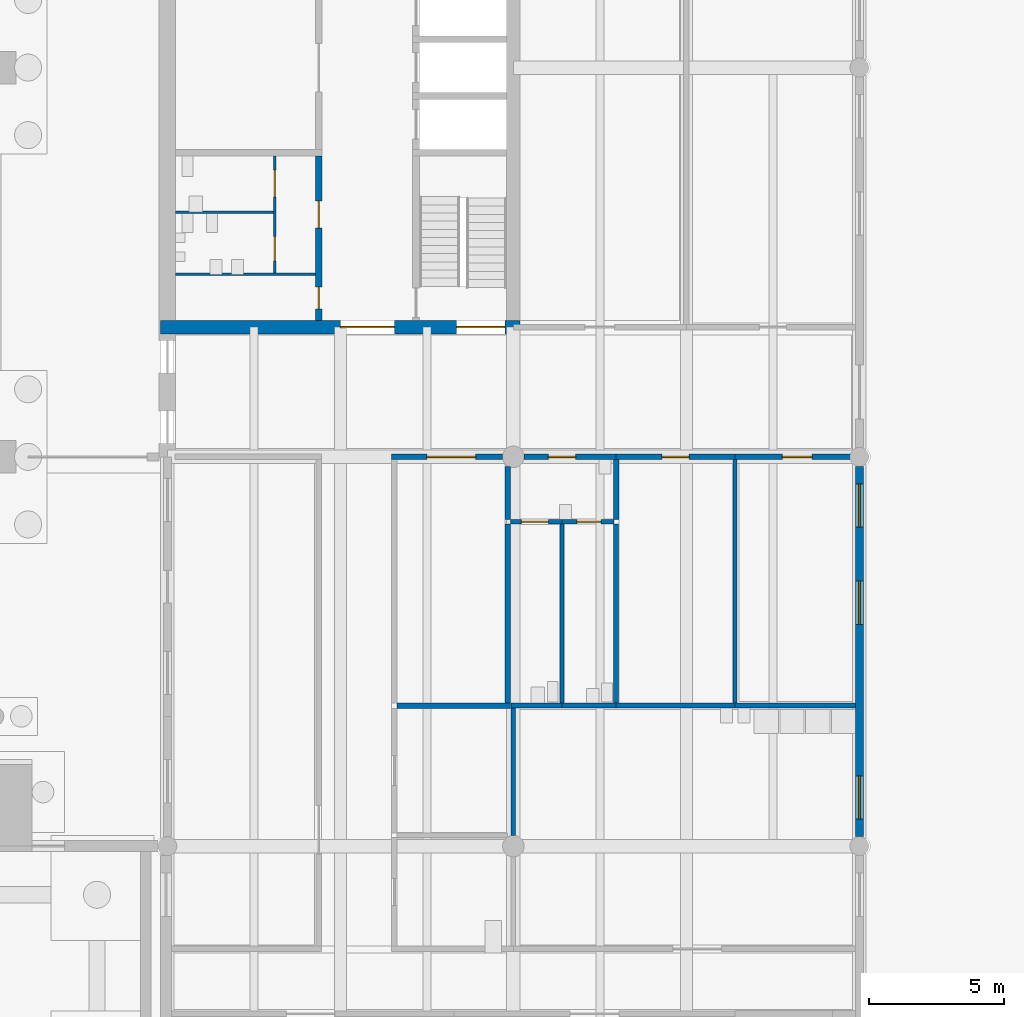
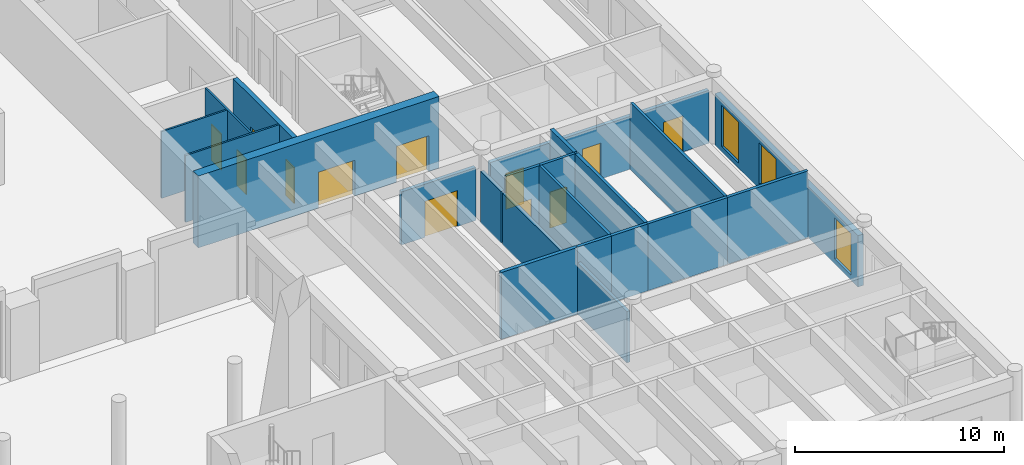
# One storey, part 17 of 28: 24 walls, 12 doors, 3 windows, 15 openings.
"""IFC4 building model written with IfcOpenShell, lengths in metres."""

from ifc_helpers import new_model, si_unit, direction, frame, frame_2d, origin, place, context, subcontext, project, spatial, rectangle, extrude, material, layer, layer_set, type_object, element, fill, save


model = new_model("IFC4")

# Units and contexts
model_context = context("Model", 3, precision=1e-05, world=origin(), true_north=direction((0.0, 1.0)))
body_context = subcontext(model_context, "Body", "Model", "MODEL_VIEW")
ifc_project = project(units=[si_unit("LENGTHUNIT", "METRE"), si_unit("AREAUNIT", "SQUARE_METRE"), si_unit("VOLUMEUNIT", "CUBIC_METRE"), si_unit("PLANEANGLEUNIT", "RADIAN"), si_unit("MASSUNIT", "GRAM", prefix="KILO")], contexts=[model_context])

# Site, building, storey
site_placement = place(None, origin())
site = spatial("IfcSite", under=ifc_project, at=site_placement, CompositionType="ELEMENT")
building_placement = place(site_placement, origin())
building = spatial("IfcBuilding", under=site, at=building_placement, Name="Fogon Plaza Fire Station and Headquarters Tower", CompositionType="ELEMENT")
storey_placement = place(building_placement, origin())
storey = spatial("IfcBuildingStorey", under=building, at=storey_placement, Name="L00", CompositionType="ELEMENT", Elevation=0.0)

# Wall
ifc_material_1 = material(Name="Acoustic Gypsum Partition")
ifc_layer_1 = layer(ifc_material_1, 0.14990234375)
ifc_layer_set_1 = layer_set([ifc_layer_1], Name="Acoustic Gypsum Partition")
wall_type_1 = type_object("IfcWallType", Name="Acoustic Partition 150", PredefinedType="PARTITIONING", material=ifc_layer_set_1)
wall_1_placement = place(storey_placement, frame((85.0, 19.6875, 0.0), z_axis=(0.0, 0.0, 1.0), x_axis=(0.0, 1.0, 0.0)))
element("IfcWall", 1, at=wall_1_placement, inside=storey, type_object=wall_type_1, Name="wall-L00-E-036", PredefinedType="PARTITIONING", context=body_context, shape_type="SweptSolid", body=[
    extrude(rectangle(XDim=9.012451171875, YDim=0.14990234375, at=frame_2d((4.50634765625, 0.0))), origin(), (0.0, 0.0, 1.0), 3.89990234375),
])

# Wall, opening, door
ifc_material_2 = material(Name="Concrete Block Wall", Category="concrete")
ifc_layer_2 = layer(ifc_material_2, 0.14990234375)
ifc_layer_set_2 = layer_set([ifc_layer_2], Name="Concrete Block Wall")
wall_type_2 = type_object("IfcWallType", Name="Block Wall 150", PredefinedType="PARTITIONING", material=ifc_layer_set_2)
wall_2_placement = place(storey_placement, frame((80.5224609375, 26.39990234375, 0.0), z_axis=(0.0, 0.0, 1.0), x_axis=(-1.0, 0.0, 0.0)))
wall_2 = element("IfcWall", 2, at=wall_2_placement, inside=storey, type_object=wall_type_2, Name="wall-L00-E-015", PredefinedType="PARTITIONING", context=body_context, shape_type="SweptSolid", body=[
    extrude(rectangle(XDim=1.92236328125, YDim=0.14990234375, at=frame_2d((0.961181640625, 0.0))), origin(), (0.0, 0.0, 1.0), 3.89990234375),
])
opening_1_placement = place(wall_2_placement, frame((0.472412109375, 0.0, 0.0)))
opening_1 = element("IfcOpeningElement", 3, at=opening_1_placement, cuts=wall_2, Name="Opening L00-D92", PredefinedType="OPENING", context=body_context, shape_type="SweptSolid", body=[
    extrude(rectangle(XDim=0.89990234375, YDim=2.10009765625, at=frame_2d((0.449951171875, 1.050048828125))), frame((0.0, 0.0849609375, 0.0), z_axis=(0.0, -1.0, 0.0), x_axis=(1.0, 0.0, 0.0)), (0.0, 0.0, 1.0), 0.169921875),
])
ifc_material_3 = material(Name="Timber Door Leaf", Category="wood")
door_type_1 = type_object("IfcDoorType", Name="Door WC 900x2100", OperationType="SINGLE_SWING_LEFT", PredefinedType="DOOR", material=ifc_material_3)
door_1_placement = place(opening_1_placement, origin())
door_1 = element("IfcDoor", 4, at=door_1_placement, inside=storey, type_object=door_type_1, Name="door-L00-E-13", OperationType="SINGLE_SWING_RIGHT", OverallHeight=2.10009765625, OverallWidth=0.89990234375, PredefinedType="DOOR", context=body_context, shape_type="SweptSolid", body=[
    extrude(rectangle(XDim=0.89990234375, YDim=2.10009765625, at=frame_2d((0.449951171875, 1.050048828125))), frame((0.0, 0.02490234375, 0.0), z_axis=(0.0, -1.0, 0.0), x_axis=(1.0, 0.0, 0.0)), (0.0, 0.0, 1.0), 0.050048828125),
])
fill(opening_1, door_1)

wall_3_placement = place(storey_placement, frame((78.60009765625, 26.39990234375, 0.0), z_axis=(0.0, 0.0, 1.0), x_axis=(-1.0, 0.0, 0.0)))
wall_3 = element("IfcWall", 5, at=wall_3_placement, inside=storey, type_object=wall_type_2, Name="wall-L00-E-016", PredefinedType="PARTITIONING", context=body_context, shape_type="SweptSolid", body=[
    extrude(rectangle(XDim=1.900146484375, YDim=0.14990234375, at=frame_2d((0.9501953125, 0.0))), origin(), (0.0, 0.0, 1.0), 3.89990234375),
])
opening_2_placement = place(wall_3_placement, frame((0.5, 0.0, 0.0)))
opening_2 = element("IfcOpeningElement", 6, at=opening_2_placement, cuts=wall_3, Name="Opening L00-D93", PredefinedType="OPENING", context=body_context, shape_type="SweptSolid", body=[
    extrude(rectangle(XDim=1.0, YDim=2.10009765625, at=frame_2d((0.5, 1.050048828125))), frame((0.0, 0.0849609375, 0.0), z_axis=(0.0, -1.0, 0.0), x_axis=(1.0, 0.0, 0.0)), (0.0, 0.0, 1.0), 0.169921875),
])
ifc_material_4 = material(Name="Timber Door Leaf", Category="wood")
door_type_2 = type_object("IfcDoorType", Name="Door Sliding 1000x2100", OperationType="SINGLE_SWING_LEFT", PredefinedType="DOOR", material=ifc_material_4)
door_2_placement = place(opening_2_placement, origin())
door_2 = element("IfcDoor", 7, at=door_2_placement, inside=storey, type_object=door_type_2, Name="door-L00-E-14", OperationType="SINGLE_SWING_LEFT", OverallHeight=2.10009765625, OverallWidth=1.0, PredefinedType="DOOR", context=body_context, shape_type="SweptSolid", body=[
    extrude(rectangle(XDim=1.0, YDim=2.10009765625, at=frame_2d((0.5, 1.050048828125))), frame((0.0, 0.02490234375, 0.0), z_axis=(0.0, -1.0, 0.0), x_axis=(1.0, 0.0, 0.0)), (0.0, 0.0, 1.0), 0.050048828125),
])
fill(opening_2, door_2)

# Wall
wall_4_placement = place(storey_placement, frame((78.60009765625, 19.6875, 0.0), z_axis=(0.0, 0.0, 1.0), x_axis=(0.0, 1.0, 0.0)))
element("IfcWall", 8, at=wall_4_placement, inside=storey, type_object=wall_type_2, Name="wall-L00-E-044", PredefinedType="PARTITIONING", context=body_context, shape_type="SweptSolid", body=[
    extrude(rectangle(XDim=6.637451171875, YDim=0.14990234375, at=frame_2d((3.31884765625, 0.0))), origin(), (0.0, 0.0, 1.0), 3.89990234375),
])

# Wall, openings, windows
ifc_material_5 = material(Name="Concrete C40", Category="concrete")
ifc_layer_3 = layer(ifc_material_5, 0.300048828125)
ifc_layer_set_3 = layer_set([ifc_layer_3], Name="Concrete C40")
wall_type_3 = type_object("IfcWallType", Name="Board-marked RC Infill Wall 300", PredefinedType="SOLIDWALL", material=ifc_layer_set_3)
wall_5_placement = place(storey_placement, frame((89.60009765625, 14.75, 0.0), z_axis=(0.0, 0.0, 1.0), x_axis=(0.0, 1.0, 0.0)))
wall_5 = element("IfcWall", 9, at=wall_5_placement, inside=storey, type_object=wall_type_3, Name="Exterior wall EE L00", PredefinedType="SOLIDWALL", context=body_context, shape_type="SweptSolid", body=[
    extrude(rectangle(XDim=13.699951171875, YDim=0.300048828125, at=frame_2d((6.85009765625, 0.0))), origin(), (0.0, 0.0, 1.0), 3.0),
])
opening_3_placement = place(wall_5_placement, frame((0.64990234375, 0.0, 0.300048828125)))
opening_3 = element("IfcOpeningElement", 10, at=opening_3_placement, cuts=wall_5, Name="Opening W2", PredefinedType="OPENING", context=body_context, shape_type="SweptSolid", body=[
    extrude(rectangle(XDim=1.60009765625, YDim=2.39990234375, at=frame_2d((0.800048828125, 1.199951171875))), frame((0.0, 0.159912109375, 0.0), z_axis=(0.0, -1.0, 0.0), x_axis=(1.0, 0.0, 0.0)), (0.0, 0.0, 1.0), 0.320068359375),
])
opening_4_placement = place(wall_5_placement, frame((7.85009765625, 0.0, 0.300048828125)))
opening_4 = element("IfcOpeningElement", 11, at=opening_4_placement, cuts=wall_5, Name="Opening W2", PredefinedType="OPENING", context=body_context, shape_type="SweptSolid", body=[
    extrude(rectangle(XDim=1.60009765625, YDim=2.39990234375, at=frame_2d((0.800048828125, 1.199951171875))), frame((0.0, 0.159912109375, 0.0), z_axis=(0.0, -1.0, 0.0), x_axis=(1.0, 0.0, 0.0)), (0.0, 0.0, 1.0), 0.320068359375),
])
opening_5_placement = place(wall_5_placement, frame((11.449951171875, 0.0, 0.300048828125)))
opening_5 = element("IfcOpeningElement", 12, at=opening_5_placement, cuts=wall_5, Name="Opening W2", PredefinedType="OPENING", context=body_context, shape_type="SweptSolid", body=[
    extrude(rectangle(XDim=1.60009765625, YDim=2.39990234375, at=frame_2d((0.800048828125, 1.199951171875))), frame((0.0, 0.159912109375, 0.0), z_axis=(0.0, -1.0, 0.0), x_axis=(1.0, 0.0, 0.0)), (0.0, 0.0, 1.0), 0.320068359375),
])
ifc_material_6 = material(Name="Aluminium framed double glazing", Category="aluminium")
window_type = type_object("IfcWindowType", Name="Window W2 1600x2400", PartitioningType="SINGLE_PANEL", PredefinedType="WINDOW", material=ifc_material_6)
window_1_placement = place(opening_3_placement, origin())
window_1 = element("IfcWindow", 13, at=window_1_placement, inside=storey, type_object=window_type, Name="Window W2 E L00", OverallHeight=2.39990234375, OverallWidth=1.60009765625, PartitioningType="SINGLE_PANEL", PredefinedType="WINDOW", context=body_context, shape_type="SweptSolid", body=[
    extrude(rectangle(XDim=1.60009765625, YDim=2.39990234375, at=frame_2d((0.800048828125, 1.199951171875))), frame((0.0, 0.030029296875, 0.0), z_axis=(0.0, -1.0, 0.0), x_axis=(1.0, 0.0, 0.0)), (0.0, 0.0, 1.0), 0.06005859375),
])
fill(opening_3, window_1)
window_2_placement = place(opening_4_placement, origin())
window_2 = element("IfcWindow", 14, at=window_2_placement, inside=storey, type_object=window_type, Name="Window W2 E L00", OverallHeight=2.39990234375, OverallWidth=1.60009765625, PartitioningType="SINGLE_PANEL", PredefinedType="WINDOW", context=body_context, shape_type="SweptSolid", body=[
    extrude(rectangle(XDim=1.60009765625, YDim=2.39990234375, at=frame_2d((0.800048828125, 1.199951171875))), frame((0.0, 0.030029296875, 0.0), z_axis=(0.0, -1.0, 0.0), x_axis=(1.0, 0.0, 0.0)), (0.0, 0.0, 1.0), 0.06005859375),
])
fill(opening_4, window_2)
window_3_placement = place(opening_5_placement, origin())
window_3 = element("IfcWindow", 15, at=window_3_placement, inside=storey, type_object=window_type, Name="Window W2 E L00", OverallHeight=2.39990234375, OverallWidth=1.60009765625, PartitioningType="SINGLE_PANEL", PredefinedType="WINDOW", context=body_context, shape_type="SweptSolid", body=[
    extrude(rectangle(XDim=1.60009765625, YDim=2.39990234375, at=frame_2d((0.800048828125, 1.199951171875))), frame((0.0, 0.030029296875, 0.0), z_axis=(0.0, -1.0, 0.0), x_axis=(1.0, 0.0, 0.0)), (0.0, 0.0, 1.0), 0.06005859375),
])
fill(opening_5, window_3)

# Wall
ifc_material_7 = material(Name="Concrete Block Fire Wall", Category="concrete")
ifc_layer_4 = layer(ifc_material_7, 0.199951171875)
ifc_layer_set_4 = layer_set([ifc_layer_4], Name="Concrete Block Fire Wall")
wall_type_4 = type_object("IfcWallType", Name="Compartment Wall EI 120", PredefinedType="PARTITIONING", material=ifc_layer_set_4)
wall_6_placement = place(storey_placement, frame((76.699951171875, 19.60009765625, 0.0), z_axis=(0.0, 0.0, 1.0), x_axis=(-1.0, 0.0, 0.0)))
element("IfcWall", 16, at=wall_6_placement, inside=storey, type_object=wall_type_4, Name="wall-L00-E-014", PredefinedType="PARTITIONING", context=body_context, shape_type="SweptSolid", body=[
    extrude(rectangle(XDim=4.199951171875, YDim=0.199951171875, at=frame_2d((2.10009765625, 0.0))), origin(), (0.0, 0.0, 1.0), 3.89990234375),
])

# Wall, opening, door
ifc_material_8 = material(Name="Concrete Block Fire Wall", Category="concrete")
ifc_layer_5 = layer(ifc_material_8, 0.199951171875)
ifc_layer_set_5 = layer_set([ifc_layer_5], Name="Concrete Block Fire Wall")
wall_type_5 = type_object("IfcWallType", Name="Compartment Wall EI 120 Beam Head 800", PredefinedType="PARTITIONING", material=ifc_layer_set_5)
wall_7_placement = place(storey_placement, frame((76.39990234375, 28.800048828125, 0.0), z_axis=(0.0, 0.0, 1.0), x_axis=(-1.0, 0.0, 0.0)))
wall_7 = element("IfcWall", 17, at=wall_7_placement, inside=storey, type_object=wall_type_5, Name="wall-L00-E-020", PredefinedType="PARTITIONING", context=body_context, shape_type="SweptSolid", body=[
    extrude(rectangle(XDim=4.099853515625, YDim=0.199951171875, at=frame_2d((2.0498046875, 0.0))), origin(), (0.0, 0.0, 1.0), 3.10009765625),
])
opening_6_placement = place(wall_7_placement, frame((1.0, 0.0, 0.0)))
opening_6 = element("IfcOpeningElement", 18, at=opening_6_placement, cuts=wall_7, Name="Opening L00-D94", PredefinedType="OPENING", context=body_context, shape_type="SweptSolid", body=[
    extrude(rectangle(XDim=1.800048828125, YDim=2.10009765625, at=frame_2d((0.89990234375, 1.050048828125))), frame((0.0, 0.10986328125, 0.0), z_axis=(0.0, -1.0, 0.0), x_axis=(1.0, 0.0, 0.0)), (0.0, 0.0, 1.0), 0.219970703125),
])
ifc_material_9 = material(Name="Steel Fire Door Leaf", Category="steel")
door_type_3 = type_object("IfcDoorType", Name="Fire Door Double EI 90 1800x2100", OperationType="SINGLE_SWING_LEFT", PredefinedType="DOOR", material=ifc_material_9)
door_3_placement = place(opening_6_placement, origin())
door_3 = element("IfcDoor", 19, at=door_3_placement, inside=storey, type_object=door_type_3, Name="door-L00-E-15", OperationType="DOUBLE_DOOR_SINGLE_SWING", OverallHeight=2.10009765625, OverallWidth=1.800048828125, PredefinedType="DOOR", context=body_context, shape_type="SweptSolid", body=[
    extrude(rectangle(XDim=1.800048828125, YDim=2.10009765625, at=frame_2d((0.89990234375, 1.050048828125))), frame((0.0, 0.02490234375, 0.0), z_axis=(0.0, -1.0, 0.0), x_axis=(1.0, 0.0, 0.0)), (0.0, 0.0, 1.0), 0.050048828125),
])
fill(opening_6, door_3)

# Walls
ifc_material_10 = material(Name="Concrete Block Fire Wall", Category="concrete")
ifc_layer_6 = layer(ifc_material_10, 0.199951171875)
ifc_layer_set_6 = layer_set([ifc_layer_6], Name="Concrete Block Fire Wall")
wall_type_6 = type_object("IfcWallType", Name="Compartment Wall EI 120 Beam Head 900", PredefinedType="PARTITIONING", material=ifc_layer_set_6)
wall_8_placement = place(storey_placement, frame((76.60009765625, 19.699951171875, 0.0), z_axis=(0.0, 0.0, 1.0), x_axis=(0.0, 1.0, 0.0)))
element("IfcWall", 20, at=wall_8_placement, inside=storey, type_object=wall_type_6, Name="wall-L00-E-047", PredefinedType="PARTITIONING", context=body_context, shape_type="SweptSolid", body=[
    extrude(rectangle(XDim=6.625, YDim=0.199951171875, at=frame_2d((3.3125, 0.0))), origin(), (0.0, 0.0, 1.0), 3.0),
])
wall_9_placement = place(storey_placement, frame((76.60009765625, 26.47509765625, 0.0), z_axis=(0.0, 0.0, 1.0), x_axis=(0.0, 1.0, 0.0)))
element("IfcWall", 21, at=wall_9_placement, inside=storey, type_object=wall_type_6, Name="wall-L00-E-048", PredefinedType="PARTITIONING", context=body_context, shape_type="SweptSolid", body=[
    extrude(rectangle(XDim=1.9677734375, YDim=0.199951171875, at=frame_2d((0.98388671875, 0.0))), origin(), (0.0, 0.0, 1.0), 3.0),
])

# Wall, openings, doors
ifc_material_11 = material(Name="Concrete C40", Category="concrete")
ifc_layer_7 = layer(ifc_material_11, 0.25)
ifc_layer_set_7 = layer_set([ifc_layer_7], Name="Concrete C40")
wall_type_7 = type_object("IfcWallType", Name="Core Wall RC 250", PredefinedType="SOLIDWALL", material=ifc_layer_set_7)
wall_10_placement = place(storey_placement, frame((69.60009765625, 33.85009765625, 0.0), z_axis=(0.0, 0.0, 1.0), x_axis=(0.0, 1.0, 0.0)))
wall_10 = element("IfcWall", 22, at=wall_10_placement, inside=storey, type_object=wall_type_7, Name="Core B shaft wall", PredefinedType="SOLIDWALL", context=body_context, shape_type="SweptSolid", body=[
    extrude(rectangle(XDim=6.074951171875, YDim=0.25, at=frame_2d((3.03759765625, 0.0))), origin(), (0.0, 0.0, 1.0), 3.89990234375),
])
opening_7_placement = place(wall_10_placement, frame((0.425048828125, 0.0, 0.0)))
opening_7 = element("IfcOpeningElement", 23, at=opening_7_placement, cuts=wall_10, Name="Opening L00-D51", PredefinedType="OPENING", context=body_context, shape_type="SweptSolid", body=[
    extrude(rectangle(XDim=0.800048828125, YDim=2.10009765625, at=frame_2d((0.39990234375, 1.050048828125))), frame((0.0, 0.135009765625, 0.0), z_axis=(0.0, -1.0, 0.0), x_axis=(1.0, 0.0, 0.0)), (0.0, 0.0, 1.0), 0.27001953125),
])
opening_8_placement = place(wall_10_placement, frame((3.41259765625, 0.0, 0.0)))
opening_8 = element("IfcOpeningElement", 24, at=opening_8_placement, cuts=wall_10, Name="Opening L00-D52", PredefinedType="OPENING", context=body_context, shape_type="SweptSolid", body=[
    extrude(rectangle(XDim=1.0, YDim=2.10009765625, at=frame_2d((0.5, 1.050048828125))), frame((0.0, 0.135009765625, 0.0), z_axis=(0.0, -1.0, 0.0), x_axis=(1.0, 0.0, 0.0)), (0.0, 0.0, 1.0), 0.27001953125),
])
ifc_material_12 = material(Name="Timber Door Leaf", Category="wood")
door_type_4 = type_object("IfcDoorType", Name="Cleaner Store Single 800x2100", OperationType="SINGLE_SWING_LEFT", PredefinedType="DOOR", material=ifc_material_12)
door_4_placement = place(opening_7_placement, origin())
door_4 = element("IfcDoor", 25, at=door_4_placement, inside=storey, type_object=door_type_4, Name="Cleaner's store B door", OperationType="SINGLE_SWING_RIGHT", OverallHeight=2.10009765625, OverallWidth=0.800048828125, PredefinedType="DOOR", context=body_context, shape_type="SweptSolid", body=[
    extrude(rectangle(XDim=0.800048828125, YDim=2.10009765625, at=frame_2d((0.39990234375, 1.050048828125))), frame((0.0, 0.02490234375, 0.0), z_axis=(0.0, -1.0, 0.0), x_axis=(1.0, 0.0, 0.0)), (0.0, 0.0, 1.0), 0.050048828125),
])
fill(opening_7, door_4)
ifc_material_13 = material(Name="Timber fire door", Category="wood")
door_type_5 = type_object("IfcDoorType", Name="WC Lobby Single 1000x2100", OperationType="SINGLE_SWING_LEFT", PredefinedType="DOOR", material=ifc_material_13)
door_5_placement = place(opening_8_placement, origin())
door_5 = element("IfcDoor", 26, at=door_5_placement, inside=storey, type_object=door_type_5, Name="Men's WC lobby B door", OperationType="SINGLE_SWING_LEFT", OverallHeight=2.10009765625, OverallWidth=1.0, PredefinedType="DOOR", context=body_context, shape_type="SweptSolid", body=[
    extrude(rectangle(XDim=1.0, YDim=2.10009765625, at=frame_2d((0.5, 1.050048828125))), frame((0.0, 0.02490234375, 0.0), z_axis=(0.0, -1.0, 0.0), x_axis=(1.0, 0.0, 0.0)), (0.0, 0.0, 1.0), 0.050048828125),
])
fill(opening_8, door_5)

# Wall
ifc_material_14 = material(Name="Gypsum Board Fire Partition")
ifc_layer_8 = layer(ifc_material_14, 0.199951171875)
ifc_layer_set_8 = layer_set([ifc_layer_8], Name="Gypsum Board Fire Partition")
wall_type_8 = type_object("IfcWallType", Name="Corridor Wall EI 60", PredefinedType="PARTITIONING", material=ifc_layer_set_8)
wall_11_placement = place(storey_placement, frame((80.60009765625, 26.47509765625, 0.0), z_axis=(0.0, 0.0, 1.0), x_axis=(0.0, 1.0, 0.0)))
element("IfcWall", 27, at=wall_11_placement, inside=storey, type_object=wall_type_8, Name="wall-L00-E-043", PredefinedType="PARTITIONING", context=body_context, shape_type="SweptSolid", body=[
    extrude(rectangle(XDim=2.224853515625, YDim=0.199951171875, at=frame_2d((1.1123046875, 0.0))), origin(), (0.0, 0.0, 1.0), 3.89990234375),
])

# Wall, opening, door
ifc_material_15 = material(Name="Gypsum Board Fire Partition")
ifc_layer_9 = layer(ifc_material_15, 0.199951171875)
ifc_layer_set_9 = layer_set([ifc_layer_9], Name="Gypsum Board Fire Partition")
wall_type_9 = type_object("IfcWallType", Name="Corridor Wall EI 60 Beam Head 800", PredefinedType="PARTITIONING", material=ifc_layer_set_9)
wall_12_placement = place(storey_placement, frame((89.280029296875, 28.800048828125, 0.0), z_axis=(0.0, 0.0, 1.0), x_axis=(-1.0, 0.0, 0.0)))
wall_12 = element("IfcWall", 28, at=wall_12_placement, inside=storey, type_object=wall_type_9, Name="wall-L00-E-017", PredefinedType="PARTITIONING", context=body_context, shape_type="SweptSolid", body=[
    extrude(rectangle(XDim=4.280029296875, YDim=0.199951171875, at=frame_2d((2.14013671875, 0.0))), origin(), (0.0, 0.0, 1.0), 3.10009765625),
])
opening_9_placement = place(wall_12_placement, frame((1.429931640625, 0.0, 0.0)))
opening_9 = element("IfcOpeningElement", 29, at=opening_9_placement, cuts=wall_12, Name="Opening L00-D89", PredefinedType="OPENING", context=body_context, shape_type="SweptSolid", body=[
    extrude(rectangle(XDim=1.10009765625, YDim=2.10009765625, at=frame_2d((0.550048828125, 1.050048828125))), frame((0.0, 0.10986328125, 0.0), z_axis=(0.0, -1.0, 0.0), x_axis=(1.0, 0.0, 0.0)), (0.0, 0.0, 1.0), 0.219970703125),
])
ifc_material_16 = material(Name="Steel Fire Door Leaf", Category="steel")
door_type_6 = type_object("IfcDoorType", Name="Corridor Door EI 20 1100x2100", OperationType="SINGLE_SWING_LEFT", PredefinedType="DOOR", material=ifc_material_16)
door_6_placement = place(opening_9_placement, origin())
door_6 = element("IfcDoor", 30, at=door_6_placement, inside=storey, type_object=door_type_6, Name="door-L00-E-10", OperationType="SINGLE_SWING_LEFT", OverallHeight=2.10009765625, OverallWidth=1.10009765625, PredefinedType="DOOR", context=body_context, shape_type="SweptSolid", body=[
    extrude(rectangle(XDim=1.10009765625, YDim=2.10009765625, at=frame_2d((0.550048828125, 1.050048828125))), frame((0.0, 0.02490234375, 0.0), z_axis=(0.0, -1.0, 0.0), x_axis=(1.0, 0.0, 0.0)), (0.0, 0.0, 1.0), 0.050048828125),
])
fill(opening_9, door_6)

wall_13_placement = place(storey_placement, frame((85.0, 28.800048828125, 0.0), z_axis=(0.0, 0.0, 1.0), x_axis=(-1.0, 0.0, 0.0)))
wall_13 = element("IfcWall", 31, at=wall_13_placement, inside=storey, type_object=wall_type_9, Name="wall-L00-E-018", PredefinedType="PARTITIONING", context=body_context, shape_type="SweptSolid", body=[
    extrude(rectangle(XDim=4.39990234375, YDim=0.199951171875, at=frame_2d((2.199951171875, 0.0))), origin(), (0.0, 0.0, 1.0), 3.10009765625),
])
opening_10_placement = place(wall_13_placement, frame((1.699951171875, 0.0, 0.0)))
opening_10 = element("IfcOpeningElement", 32, at=opening_10_placement, cuts=wall_13, Name="Opening L00-D90", PredefinedType="OPENING", context=body_context, shape_type="SweptSolid", body=[
    extrude(rectangle(XDim=1.0, YDim=2.10009765625, at=frame_2d((0.5, 1.050048828125))), frame((0.0, 0.10986328125, 0.0), z_axis=(0.0, -1.0, 0.0), x_axis=(1.0, 0.0, 0.0)), (0.0, 0.0, 1.0), 0.219970703125),
])
ifc_material_17 = material(Name="Steel Fire Door Leaf", Category="steel")
door_type_7 = type_object("IfcDoorType", Name="Corridor Door EI 20 1000x2100", OperationType="SINGLE_SWING_LEFT", PredefinedType="DOOR", material=ifc_material_17)
door_7_placement = place(opening_10_placement, origin())
door_7 = element("IfcDoor", 33, at=door_7_placement, inside=storey, type_object=door_type_7, Name="door-L00-E-11", OperationType="SINGLE_SWING_LEFT", OverallHeight=2.10009765625, OverallWidth=1.0, PredefinedType="DOOR", context=body_context, shape_type="SweptSolid", body=[
    extrude(rectangle(XDim=1.0, YDim=2.10009765625, at=frame_2d((0.5, 1.050048828125))), frame((0.0, 0.02490234375, 0.0), z_axis=(0.0, -1.0, 0.0), x_axis=(1.0, 0.0, 0.0)), (0.0, 0.0, 1.0), 0.050048828125),
])
fill(opening_10, door_7)

wall_14_placement = place(storey_placement, frame((80.60009765625, 28.800048828125, 0.0), z_axis=(0.0, 0.0, 1.0), x_axis=(-1.0, 0.0, 0.0)))
wall_14 = element("IfcWall", 34, at=wall_14_placement, inside=storey, type_object=wall_type_9, Name="wall-L00-E-019", PredefinedType="PARTITIONING", context=body_context, shape_type="SweptSolid", body=[
    extrude(rectangle(XDim=3.400146484375, YDim=0.199951171875, at=frame_2d((1.7001953125, 0.0))), origin(), (0.0, 0.0, 1.0), 3.10009765625),
])
opening_11_placement = place(wall_14_placement, frame((1.5, 0.0, 0.0)))
opening_11 = element("IfcOpeningElement", 35, at=opening_11_placement, cuts=wall_14, Name="Opening L00-D91", PredefinedType="OPENING", context=body_context, shape_type="SweptSolid", body=[
    extrude(rectangle(XDim=1.0, YDim=2.10009765625, at=frame_2d((0.5, 1.050048828125))), frame((0.0, 0.10986328125, 0.0), z_axis=(0.0, -1.0, 0.0), x_axis=(1.0, 0.0, 0.0)), (0.0, 0.0, 1.0), 0.219970703125),
])
door_8_placement = place(opening_11_placement, origin())
door_8 = element("IfcDoor", 36, at=door_8_placement, inside=storey, type_object=door_type_7, Name="door-L00-E-12", OperationType="SINGLE_SWING_RIGHT", OverallHeight=2.10009765625, OverallWidth=1.0, PredefinedType="DOOR", context=body_context, shape_type="SweptSolid", body=[
    extrude(rectangle(XDim=1.0, YDim=2.10009765625, at=frame_2d((0.5, 1.050048828125))), frame((0.0, 0.02490234375, 0.0), z_axis=(0.0, -1.0, 0.0), x_axis=(1.0, 0.0, 0.0)), (0.0, 0.0, 1.0), 0.050048828125),
])
fill(opening_11, door_8)

# Wall
ifc_material_18 = material(Name="Blockwork", Category="masonry")
ifc_layer_10 = layer(ifc_material_18, 0.10009765625)
ifc_layer_set_10 = layer_set([ifc_layer_10], Name="Blockwork")
wall_type_10 = type_object("IfcWallType", Name="Partition Blockwork 100", PredefinedType="PARTITIONING", material=ifc_layer_set_10)
wall_15_placement = place(storey_placement, frame((69.47509765625, 35.550048828125, 0.0), z_axis=(0.0, 0.0, 1.0), x_axis=(-1.0, 0.0, 0.0)))
element("IfcWall", 37, at=wall_15_placement, inside=storey, type_object=wall_type_10, Name="Cleaner's store partition", PredefinedType="PARTITIONING", context=body_context, shape_type="SweptSolid", body=[
    extrude(rectangle(XDim=5.175048828125, YDim=0.10009765625, at=frame_2d((2.58740234375, 0.0))), origin(), (0.0, 0.0, 1.0), 3.89990234375),
])

# Wall, openings, doors
wall_16_placement = place(storey_placement, frame((67.97509765625, 35.60009765625, 0.0), z_axis=(0.0, 0.0, 1.0), x_axis=(0.0, 1.0, 0.0)))
wall_16 = element("IfcWall", 38, at=wall_16_placement, inside=storey, type_object=wall_type_10, Name="WC block partition", PredefinedType="PARTITIONING", context=body_context, shape_type="SweptSolid", body=[
    extrude(rectangle(XDim=4.324951171875, YDim=0.10009765625, at=frame_2d((2.16259765625, 0.0))), origin(), (0.0, 0.0, 1.0), 3.89990234375),
])
opening_12_placement = place(wall_16_placement, frame((0.449951171875, 0.0, 0.0)))
opening_12 = element("IfcOpeningElement", 39, at=opening_12_placement, cuts=wall_16, Name="Opening L00-D53", PredefinedType="OPENING", context=body_context, shape_type="SweptSolid", body=[
    extrude(rectangle(XDim=0.89990234375, YDim=2.10009765625, at=frame_2d((0.449951171875, 1.050048828125))), frame((0.0, 0.06005859375, 0.0), z_axis=(0.0, -1.0, 0.0), x_axis=(1.0, 0.0, 0.0)), (0.0, 0.0, 1.0), 0.1201171875),
])
opening_13_placement = place(wall_16_placement, frame((2.8125, 0.0, 0.0)))
opening_13 = element("IfcOpeningElement", 40, at=opening_13_placement, cuts=wall_16, Name="Opening L00-D54", PredefinedType="OPENING", context=body_context, shape_type="SweptSolid", body=[
    extrude(rectangle(XDim=1.0, YDim=2.10009765625, at=frame_2d((0.5, 1.050048828125))), frame((0.0, 0.06005859375, 0.0), z_axis=(0.0, -1.0, 0.0), x_axis=(1.0, 0.0, 0.0)), (0.0, 0.0, 1.0), 0.1201171875),
])
ifc_material_19 = material(Name="Timber Door Leaf", Category="wood")
door_type_8 = type_object("IfcDoorType", Name="Accessible WC Single 1000x2100", OperationType="SINGLE_SWING_LEFT", PredefinedType="DOOR", material=ifc_material_19)
door_9_placement = place(opening_13_placement, origin())
door_9 = element("IfcDoor", 41, at=door_9_placement, inside=storey, type_object=door_type_8, Name="Accessible WC B door", OperationType="SINGLE_SWING_LEFT", OverallHeight=2.10009765625, OverallWidth=1.0, PredefinedType="DOOR", context=body_context, shape_type="SweptSolid", body=[
    extrude(rectangle(XDim=1.0, YDim=2.10009765625, at=frame_2d((0.5, 1.050048828125))), frame((0.0, 0.02490234375, 0.0), z_axis=(0.0, -1.0, 0.0), x_axis=(1.0, 0.0, 0.0)), (0.0, 0.0, 1.0), 0.050048828125),
])
fill(opening_13, door_9)
ifc_material_20 = material(Name="Timber Door Leaf", Category="wood")
door_type_9 = type_object("IfcDoorType", Name="WC Single 900x2100", OperationType="SINGLE_SWING_LEFT", PredefinedType="DOOR", material=ifc_material_20)
door_10_placement = place(opening_12_placement, origin())
door_10 = element("IfcDoor", 42, at=door_10_placement, inside=storey, type_object=door_type_9, Name="Men's WC B door", OperationType="SINGLE_SWING_LEFT", OverallHeight=2.10009765625, OverallWidth=0.89990234375, PredefinedType="DOOR", context=body_context, shape_type="SweptSolid", body=[
    extrude(rectangle(XDim=0.89990234375, YDim=2.10009765625, at=frame_2d((0.449951171875, 1.050048828125))), frame((0.0, 0.02490234375, 0.0), z_axis=(0.0, -1.0, 0.0), x_axis=(1.0, 0.0, 0.0)), (0.0, 0.0, 1.0), 0.050048828125),
])
fill(opening_12, door_10)

# Wall
wall_17_placement = place(storey_placement, frame((67.925048828125, 37.85009765625, 0.0), z_axis=(0.0, 0.0, 1.0), x_axis=(-1.0, 0.0, 0.0)))
element("IfcWall", 43, at=wall_17_placement, inside=storey, type_object=wall_type_10, Name="WC block partition", PredefinedType="PARTITIONING", context=body_context, shape_type="SweptSolid", body=[
    extrude(rectangle(XDim=3.625, YDim=0.10009765625, at=frame_2d((1.8125, 0.0))), origin(), (0.0, 0.0, 1.0), 3.89990234375),
])

# Wall, openings, doors
ifc_material_21 = material(Name="Concrete C40", Category="concrete")
ifc_layer_11 = layer(ifc_material_21, 0.5)
ifc_layer_set_11 = layer_set([ifc_layer_11], Name="Concrete C40")
wall_type_11 = type_object("IfcWallType", Name="Shear wall 500 SW50", PredefinedType="SHEAR", material=ifc_layer_set_11)
wall_18_placement = place(storey_placement, frame((63.75, 33.60009765625, 0.0), z_axis=(0.0, 0.0, 1.0), x_axis=(1.0, 0.0, 0.0)))
wall_18 = element("IfcWall", 44, at=wall_18_placement, inside=storey, type_object=wall_type_11, Name="wall-coreB-S-L00", PredefinedType="SHEAR", context=body_context, shape_type="SweptSolid", body=[
    extrude(rectangle(XDim=13.300048828125, YDim=0.5, at=frame_2d((6.64990234375, 0.0))), origin(), (0.0, 0.0, 1.0), 4.199951171875),
])
opening_14_placement = place(wall_18_placement, frame((6.64990234375, 0.0, 0.0)))
opening_14 = element("IfcOpeningElement", 45, at=opening_14_placement, cuts=wall_18, Name="Opening L00-D58", PredefinedType="OPENING", context=body_context, shape_type="SweptSolid", body=[
    extrude(rectangle(XDim=2.0, YDim=2.10009765625, at=frame_2d((1.0, 1.050048828125))), frame((0.0, 0.260009765625, 0.0), z_axis=(0.0, -1.0, 0.0), x_axis=(1.0, 0.0, 0.0)), (0.0, 0.0, 1.0), 0.52001953125),
])
opening_15_placement = place(wall_18_placement, frame((10.949951171875, 0.0, 0.0)))
opening_15 = element("IfcOpeningElement", 46, at=opening_15_placement, cuts=wall_18, Name="Opening L00-D59", PredefinedType="OPENING", context=body_context, shape_type="SweptSolid", body=[
    extrude(rectangle(XDim=1.800048828125, YDim=2.10009765625, at=frame_2d((0.89990234375, 1.050048828125))), frame((0.0, 0.260009765625, 0.0), z_axis=(0.0, -1.0, 0.0), x_axis=(1.0, 0.0, 0.0)), (0.0, 0.0, 1.0), 0.52001953125),
])
ifc_material_22 = material(Name="Steel Fire Door Leaf", Category="steel")
door_type_10 = type_object("IfcDoorType", Name="Core Lobby Double 2000x2100", OperationType="DOUBLE_DOOR_SINGLE_SWING", PredefinedType="DOOR", material=ifc_material_22)
door_11_placement = place(opening_14_placement, frame((2.0, 0.0, 0.0), z_axis=(0.0, 0.0, 1.0), x_axis=(-1.0, 0.0, 0.0)))
door_11 = element("IfcDoor", 47, at=door_11_placement, inside=storey, type_object=door_type_10, Name="Core B lobby door S", OperationType="DOUBLE_DOOR_SINGLE_SWING", OverallHeight=2.10009765625, OverallWidth=2.0, PredefinedType="DOOR", context=body_context, shape_type="SweptSolid", body=[
    extrude(rectangle(XDim=2.0, YDim=2.10009765625, at=frame_2d((1.0, 1.050048828125))), frame((0.0, 0.02490234375, 0.0), z_axis=(0.0, -1.0, 0.0), x_axis=(1.0, 0.0, 0.0)), (0.0, 0.0, 1.0), 0.050048828125),
])
fill(opening_14, door_11)
ifc_material_23 = material(Name="Steel Fire Door Leaf", Category="steel")
door_type_11 = type_object("IfcDoorType", Name="Stair Discharge Double 1800x2100", OperationType="SINGLE_SWING_LEFT", PredefinedType="DOOR", material=ifc_material_23)
door_12_placement = place(opening_15_placement, frame((1.800048828125, 0.0, 0.0), z_axis=(0.0, 0.0, 1.0), x_axis=(-1.0, 0.0, 0.0)))
door_12 = element("IfcDoor", 48, at=door_12_placement, inside=storey, type_object=door_type_11, Name="Stair ST3 discharge door", OperationType="SINGLE_SWING_LEFT", OverallHeight=2.10009765625, OverallWidth=1.800048828125, PredefinedType="DOOR", context=body_context, shape_type="SweptSolid", body=[
    extrude(rectangle(XDim=1.800048828125, YDim=2.10009765625, at=frame_2d((0.89990234375, 1.050048828125))), frame((0.0, 0.02490234375, 0.0), z_axis=(0.0, -1.0, 0.0), x_axis=(1.0, 0.0, 0.0)), (0.0, 0.0, 1.0), 0.050048828125),
])
fill(opening_15, door_12)

# Walls
ifc_material_24 = material(Name="Tiled Concrete Block Wall", Category="concrete")
ifc_layer_12 = layer(ifc_material_24, 0.175048828125)
ifc_layer_set_12 = layer_set([ifc_layer_12], Name="Tiled Concrete Block Wall")
wall_type_12 = type_object("IfcWallType", Name="Wet Area Block Wall 175", PredefinedType="PARTITIONING", material=ifc_layer_set_12)
wall_19_placement = place(storey_placement, frame((89.449951171875, 19.60009765625, 0.0), z_axis=(0.0, 0.0, 1.0), x_axis=(-1.0, 0.0, 0.0)))
element("IfcWall", 49, at=wall_19_placement, inside=storey, type_object=wall_type_12, Name="wall-L00-E-010", PredefinedType="PARTITIONING", context=body_context, shape_type="SweptSolid", body=[
    extrude(rectangle(XDim=4.449951171875, YDim=0.175048828125, at=frame_2d((2.22509765625, 0.0))), origin(), (0.0, 0.0, 1.0), 3.89990234375),
])
wall_20_placement = place(storey_placement, frame((85.0, 19.60009765625, 0.0), z_axis=(0.0, 0.0, 1.0), x_axis=(-1.0, 0.0, 0.0)))
element("IfcWall", 50, at=wall_20_placement, inside=storey, type_object=wall_type_12, Name="wall-L00-E-011", PredefinedType="PARTITIONING", context=body_context, shape_type="SweptSolid", body=[
    extrude(rectangle(XDim=4.39990234375, YDim=0.175048828125, at=frame_2d((2.199951171875, 0.0))), origin(), (0.0, 0.0, 1.0), 3.89990234375),
])
wall_21_placement = place(storey_placement, frame((80.60009765625, 19.60009765625, 0.0), z_axis=(0.0, 0.0, 1.0), x_axis=(-1.0, 0.0, 0.0)))
element("IfcWall", 51, at=wall_21_placement, inside=storey, type_object=wall_type_12, Name="wall-L00-E-012", PredefinedType="PARTITIONING", context=body_context, shape_type="SweptSolid", body=[
    extrude(rectangle(XDim=2.0, YDim=0.175048828125, at=frame_2d((1.0, 0.0))), origin(), (0.0, 0.0, 1.0), 3.89990234375),
])
wall_22_placement = place(storey_placement, frame((78.60009765625, 19.60009765625, 0.0), z_axis=(0.0, 0.0, 1.0), x_axis=(-1.0, 0.0, 0.0)))
element("IfcWall", 52, at=wall_22_placement, inside=storey, type_object=wall_type_12, Name="wall-L00-E-013", PredefinedType="PARTITIONING", context=body_context, shape_type="SweptSolid", body=[
    extrude(rectangle(XDim=1.8876953125, YDim=0.175048828125, at=frame_2d((0.94384765625, 0.0))), origin(), (0.0, 0.0, 1.0), 3.89990234375),
])
wall_23_placement = place(storey_placement, frame((80.60009765625, 19.6875, 0.0), z_axis=(0.0, 0.0, 1.0), x_axis=(0.0, 1.0, 0.0)))
element("IfcWall", 53, at=wall_23_placement, inside=storey, type_object=wall_type_12, Name="wall-L00-E-042", PredefinedType="PARTITIONING", context=body_context, shape_type="SweptSolid", body=[
    extrude(rectangle(XDim=6.637451171875, YDim=0.175048828125, at=frame_2d((3.31884765625, 0.0))), origin(), (0.0, 0.0, 1.0), 3.89990234375),
])
ifc_material_25 = material(Name="Tiled Concrete Block Wall", Category="concrete")
ifc_layer_13 = layer(ifc_material_25, 0.175048828125)
ifc_layer_set_13 = layer_set([ifc_layer_13], Name="Tiled Concrete Block Wall")
wall_type_13 = type_object("IfcWallType", Name="Wet Area Block Wall 175 Beam Head 900", PredefinedType="PARTITIONING", material=ifc_layer_set_13)
wall_24_placement = place(storey_placement, frame((76.800048828125, 14.800048828125, 0.0), z_axis=(0.0, 0.0, 1.0), x_axis=(0.0, 1.0, 0.0)))
element("IfcWall", 54, at=wall_24_placement, inside=storey, type_object=wall_type_13, Name="wall-L00-E-046", PredefinedType="PARTITIONING", context=body_context, shape_type="SweptSolid", body=[
    extrude(rectangle(XDim=4.71240234375, YDim=0.175048828125, at=frame_2d((2.356201171875, 0.0))), origin(), (0.0, 0.0, 1.0), 3.0),
])

save(model, "model.ifc")
